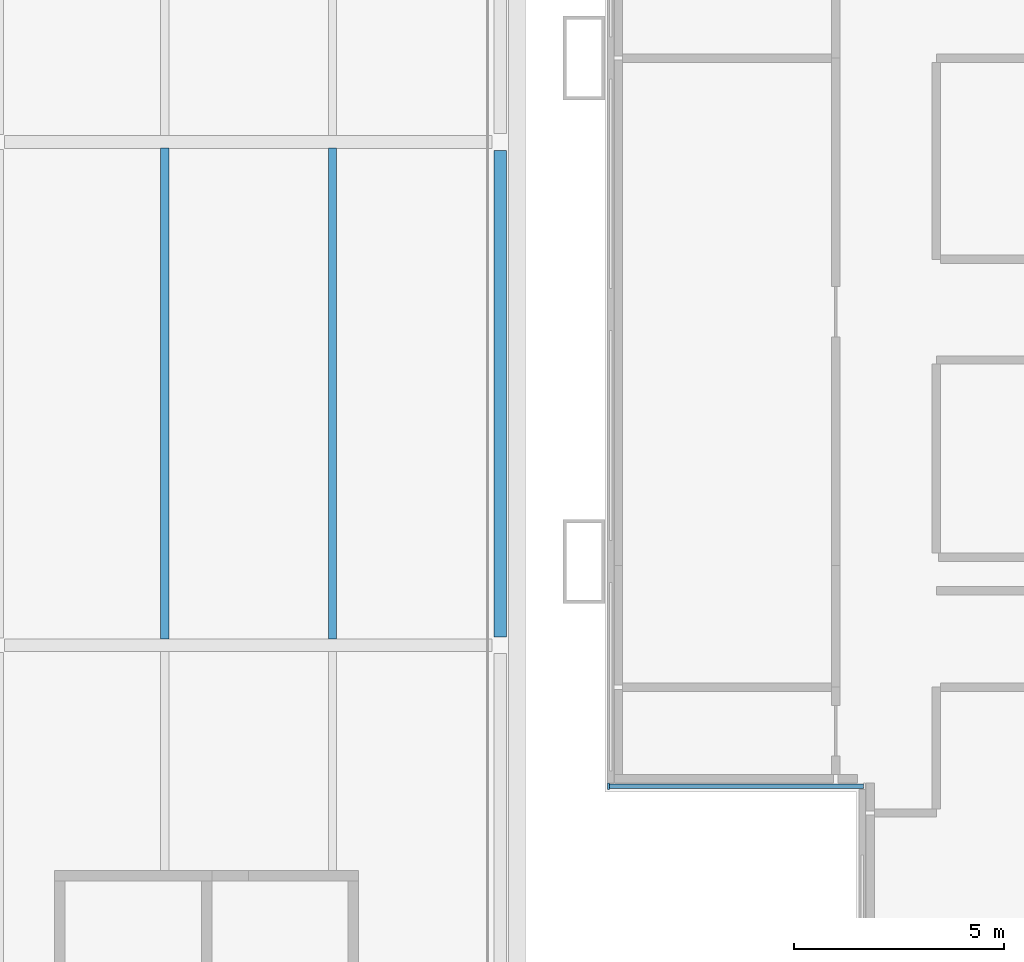
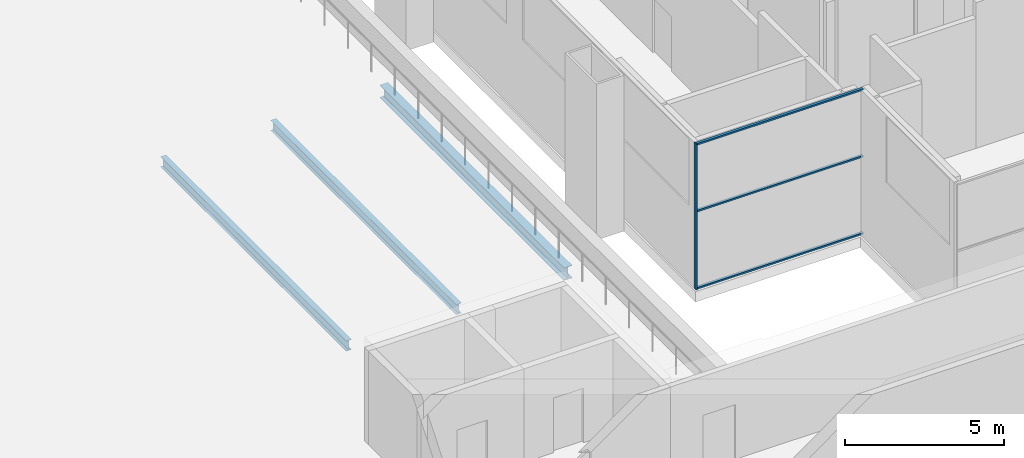
# One storey, part 5 of 27: 4 members, 3 beams, 1 element without a shape of its own.
"""IFC4 building model written with IfcOpenShell, lengths in metres."""

from ifc_helpers import new_model, si_unit, direction, frame, origin, origin_2d, place, context, subcontext, project, spatial, rectangle, i_section, extrude, material, material_profile, profile_set, type_object, element, aggregate, save


model = new_model("IFC4")

# Units and contexts
model_context = context("Model", 3, precision=1e-05, world=origin(), true_north=direction((0.0, 1.0)))
body_context = subcontext(model_context, "Body", "Model", "MODEL_VIEW")
ifc_project = project(units=[si_unit("LENGTHUNIT", "METRE"), si_unit("AREAUNIT", "SQUARE_METRE"), si_unit("VOLUMEUNIT", "CUBIC_METRE"), si_unit("PLANEANGLEUNIT", "RADIAN"), si_unit("MASSUNIT", "GRAM", prefix="KILO")], contexts=[model_context])

# Site, building, storey
site_placement = place(None, origin())
site = spatial("IfcSite", under=ifc_project, at=site_placement, CompositionType="ELEMENT")
building_placement = place(site_placement, origin())
building = spatial("IfcBuilding", under=site, at=building_placement, Name="Kitamizu Gate Tower and Museum", CompositionType="ELEMENT")
storey_placement = place(building_placement, frame((0.0, 0.0, 24.0)))
storey = spatial("IfcBuildingStorey", under=building, at=storey_placement, Name="L04", CompositionType="ELEMENT", Elevation=24.0)

# Curtain wall, member
ifc_material_1 = material(Name="Bronze anodised aluminium frame, tinted triple glazing", Category="aluminium")
curtain_wall_type = type_object("IfcCurtainWallType", Name="CURTAIN WALL TYPE F TRANSFER STOREY", PredefinedType="NOTDEFINED", material=ifc_material_1)
curtain_wall_placement = place(storey_placement, origin())
curtain_wall = element("IfcCurtainWall", 1, at=curtain_wall_placement, inside=storey, type_object=curtain_wall_type, Name="Curtain wall CW-F south L04", PredefinedType="NOTDEFINED")
ifc_material_2 = material(Name="Bronze anodised aluminium", Category="aluminium")
ifc_material_profile_1 = material_profile(ifc_material_2, rectangle(XDim=0.050048828125, YDim=0.14990234375, at=origin_2d()), Name="AL 50X150")
ifc_profile_set_1 = profile_set([ifc_material_profile_1], Name="Bronze anodised aluminium")
member_type_1 = type_object("IfcMemberType", Name="MULLION 50 X 150 TYPE F", PredefinedType="MULLION", material=ifc_profile_set_1)
member_1_placement = place(storey_placement, frame((0.5849609375, 6.635009765625, 0.0), z_axis=(0.0, 0.0, 1.0), x_axis=(1.0, 0.0, 0.0)))
member_1 = element("IfcMember", 2, at=member_1_placement, type_object=member_type_1, Name="CW-F mullion 1", PredefinedType="MULLION", context=body_context, shape_type="SweptSolid", body=[
    extrude(rectangle(XDim=0.050048828125, YDim=0.14990234375, at=origin_2d()), origin(), (0.0, 0.0, 1.0), 5.60009765625),
])

# Beams
ifc_material_3 = material(Name="Steel SS400", Category="steel")
ifc_material_profile_2 = material_profile(ifc_material_3, i_section(OverallWidth=0.300048828125, OverallDepth=0.488037109375, WebThickness=0.010986328125, FlangeThickness=0.01806640625, FilletRadius=0.02587890625, at=origin_2d()), Name="H-488x300x11x18")
ifc_profile_set_2 = profile_set([ifc_material_profile_2], Name="Steel SS400")
beam_type_1 = type_object("IfcBeamType", Name="Museum girder H 488x300x11x18", PredefinedType="BEAM", material=ifc_profile_set_2)
beam_placement = place(storey_placement, frame((-2.0, 10.199951171875, -0.64404296875), z_axis=(0.0, 1.0, 0.0), x_axis=(-1.0, 0.0, 0.0)))
element("IfcBeam", 3, at=beam_placement, inside=storey, type_object=beam_type_1, Name="Girder yM3MDME", PredefinedType="BEAM", context=body_context, shape_type="SweptSolid", body=[
    extrude(i_section(OverallWidth=0.300048828125, OverallDepth=0.488037109375, WebThickness=0.010986328125, FlangeThickness=0.01806640625, FilletRadius=0.02587890625, at=origin_2d()), origin(), (0.0, 0.0, 1.0), 11.60009765625),
])
ifc_material_4 = material(Name="Steel SS400", Category="steel")
ifc_material_profile_3 = material_profile(ifc_material_4, i_section(OverallWidth=0.198974609375, OverallDepth=0.39599609375, WebThickness=0.007080078125, FlangeThickness=0.010986328125, FilletRadius=0.01611328125, at=origin_2d()), Name="H-396x199x7x11")
ifc_profile_set_3 = profile_set([ifc_material_profile_3], Name="Steel SS400")
beam_type_2 = type_object("IfcBeamType", Name="Museum secondary beam H 396x199x7x11", PredefinedType="JOIST", material=ifc_profile_set_3)
for number, where, z_axis, x_axis, name in (
    (4, (-10.0, 10.14990234375, -0.597900390625), (0.0, 1.0, 0.0), (-1.0, 0.0, 0.0), "Secondary beam M2M3MDME.1"),
    (5, (-6.0, 10.14990234375, -0.597900390625), (0.0, 1.0, 0.0), (-1.0, 0.0, 0.0), "Secondary beam M2M3MDME.2"),
):
    element("IfcBeam", number, at=place(storey_placement, frame(where, z_axis=z_axis, x_axis=x_axis)), inside=storey, type_object=beam_type_2, Name=name, PredefinedType="JOIST", context=body_context, shape_type="SweptSolid", body=[
        extrude(i_section(OverallWidth=0.198974609375, OverallDepth=0.39599609375, WebThickness=0.007080078125, FlangeThickness=0.010986328125, FilletRadius=0.01611328125, at=origin_2d()), origin(), (0.0, 0.0, 1.0), 11.7001953125),
    ])

# Member
ifc_material_5 = material(Name="Bronze anodised aluminium", Category="aluminium")
ifc_material_profile_4 = material_profile(ifc_material_5, rectangle(XDim=0.10009765625, YDim=0.06005859375, at=origin_2d()), Name="AL 60X100")
ifc_profile_set_4 = profile_set([ifc_material_profile_4], Name="Bronze anodised aluminium")
member_type_2 = type_object("IfcMemberType", Name="TRANSOM 60 X 100 TYPE F", PredefinedType="USERDEFINED", material=ifc_profile_set_4)
member_2_placement = place(storey_placement, frame((0.610107421875, 6.635009765625, 0.030029296875), z_axis=(1.0, 0.0, 0.0), x_axis=(0.0, 1.0, 0.0)))
member_2 = element("IfcMember", 6, at=member_2_placement, type_object=member_type_2, Name="CW-F transom 1.1", ObjectType="TRANSOM", PredefinedType="USERDEFINED", context=body_context, shape_type="SweptSolid", body=[
    extrude(rectangle(XDim=0.10009765625, YDim=0.06005859375, at=origin_2d()), origin(), (0.0, 0.0, 1.0), 6.0498046875),
])

member_3_placement = place(storey_placement, frame((0.610107421875, 6.635009765625, 3.0), z_axis=(1.0, 0.0, 0.0), x_axis=(0.0, 1.0, 0.0)))
member_3 = element("IfcMember", 7, at=member_3_placement, type_object=member_type_2, Name="CW-F transom 1.2", ObjectType="TRANSOM", PredefinedType="USERDEFINED", context=body_context, shape_type="SweptSolid", body=[
    extrude(rectangle(XDim=0.10009765625, YDim=0.06005859375, at=origin_2d()), origin(), (0.0, 0.0, 1.0), 6.0498046875),
])

member_4_placement = place(storey_placement, frame((0.610107421875, 6.635009765625, 5.570068359375), z_axis=(1.0, 0.0, 0.0), x_axis=(0.0, 1.0, 0.0)))
member_4 = element("IfcMember", 8, at=member_4_placement, type_object=member_type_2, Name="CW-F transom 1.3", ObjectType="TRANSOM", PredefinedType="USERDEFINED", context=body_context, shape_type="SweptSolid", body=[
    extrude(rectangle(XDim=0.10009765625, YDim=0.06005859375, at=origin_2d()), origin(), (0.0, 0.0, 1.0), 6.0498046875),
])

aggregate(curtain_wall, [member_1, member_2, member_3, member_4])

save(model, "model.ifc")
